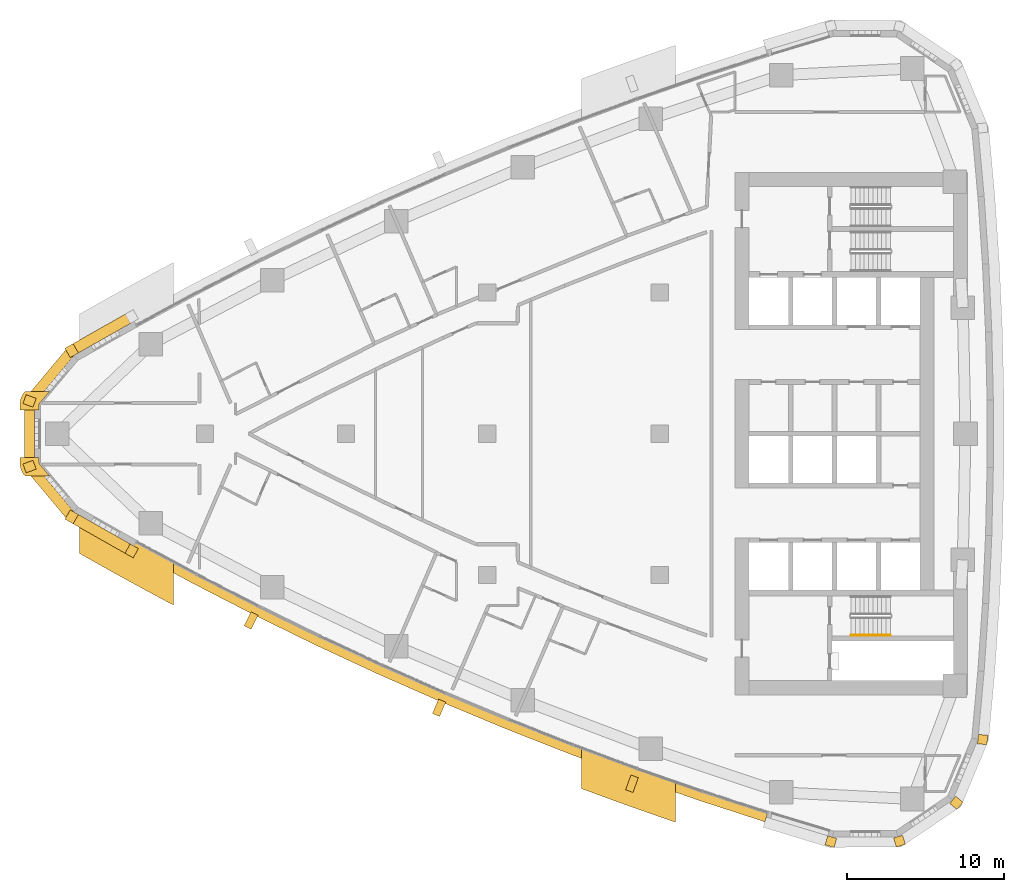
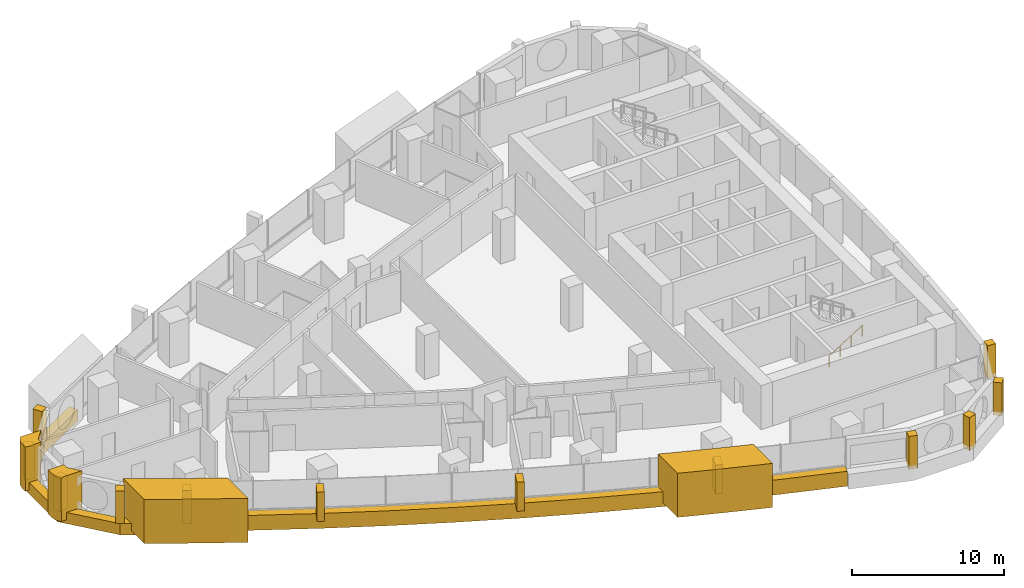
# One storey, part 13 of 16: 18 coverings, 1 railing.
"""IFC4 building model written with IfcOpenShell, lengths in metres."""

from ifc_helpers import new_model, si_unit, direction, frame, frame_2d, origin, origin_2d, place, context, subcontext, project, spatial, polyline, rectangle, circle, outline, extrude, material, layer, layer_set, type_object, element, save


model = new_model("IFC4")

# Units and contexts
model_context = context("Model", 3, precision=1e-05, world=origin(), true_north=direction((0.0, 1.0)))
body_context = subcontext(model_context, "Body", "Model", "MODEL_VIEW")
ifc_project = project(units=[si_unit("LENGTHUNIT", "METRE"), si_unit("AREAUNIT", "SQUARE_METRE"), si_unit("VOLUMEUNIT", "CUBIC_METRE"), si_unit("PLANEANGLEUNIT", "RADIAN"), si_unit("MASSUNIT", "GRAM", prefix="KILO")], contexts=[model_context])

# Site, building, storey
site_placement = place(None, origin())
site = spatial("IfcSite", under=ifc_project, at=site_placement, CompositionType="ELEMENT")
building_placement = place(site_placement, origin())
building = spatial("IfcBuilding", under=site, at=building_placement, Name="Ostrand Prow Hotel Tower", CompositionType="ELEMENT")
storey_placement = place(building_placement, frame((0.0, 0.0, 147.949951171875)))
storey = spatial("IfcBuildingStorey", under=building, at=storey_placement, Name="L36", CompositionType="ELEMENT", Elevation=147.949951171875)

# Coverings
ifc_material_1 = material(Name="Bronze anodised aluminium cladding", Category="aluminium")
ifc_layer_1 = layer(ifc_material_1, 0.60009765625)
ifc_layer_set_1 = layer_set([ifc_layer_1], Name="Bronze anodised aluminium cladding")
covering_type_1 = type_object("IfcCoveringType", Name="Bronze prow band 899x600", PredefinedType="CLADDING", material=ifc_layer_set_1)
covering_1_placement = place(storey_placement, frame((0.0, 0.0, -0.300048828125)))
element("IfcCovering", 1, at=covering_1_placement, inside=storey, type_object=covering_type_1, Name="Bronze prow band", PredefinedType="CLADDING", context=body_context, shape_type="SweptSolid", body=[
    extrude(outline(polyline([(11.16845703125, 7.766845703125), (7.335205078125, 5.594970703125), (4.5009765625, 2.208251953125), (4.5009765625, -2.208251953125), (7.335205078125, -5.594970703125), (11.16845703125, -7.766845703125), (11.497802734375, -7.171875), (7.676513671875, -5.006591796875), (5.14013671875, -1.97607421875), (5.14013671875, 1.97607421875), (7.676513671875, 5.006591796875), (11.497802734375, 7.171875), (11.16845703125, 7.766845703125)])), origin(), (0.0, 0.0, 1.0), 0.900146484375),
])
ifc_material_2 = material(Name="Bronze anodised aluminium cladding", Category="aluminium")
ifc_layer_2 = layer(ifc_material_2, 0.60009765625)
ifc_layer_set_2 = layer_set([ifc_layer_2], Name="Bronze anodised aluminium cladding")
covering_type_2 = type_object("IfcCoveringType", Name="Bronze spandrel band 1200x600", PredefinedType="CLADDING", material=ifc_layer_set_2)
covering_2_placement = place(storey_placement, frame((0.0, 0.0, -0.300048828125)))
element("IfcCovering", 2, at=covering_2_placement, inside=storey, type_object=covering_type_2, Name="Spandrel band S1", PredefinedType="CLADDING", context=body_context, shape_type="SweptSolid", body=[
    extrude(outline(polyline([(11.3466796875, -7.445068359375), (15.21630859375, -9.535888671875), (19.126953125, -11.548828125), (23.077392578125, -13.482666015625), (27.06591796875, -15.336669921875), (31.091064453125, -17.110107421875), (35.15087890625, -18.80224609375), (39.243896484375, -20.41259765625), (43.368408203125, -21.9404296875), (47.522705078125, -23.385009765625), (51.705322265625, -24.74560546875), (51.88525390625, -24.17333984375), (47.714111328125, -22.81640625), (43.571044921875, -21.375732421875), (39.457763671875, -19.85205078125), (35.376220703125, -18.24609375), (31.327392578125, -16.55859375), (27.3134765625, -14.7900390625), (23.335693359375, -12.941162109375), (19.396240234375, -11.0126953125), (15.49609375, -9.00537109375), (11.63720703125, -6.920166015625), (11.3466796875, -7.445068359375)])), origin(), (0.0, 0.0, 1.0), 1.2001953125),
])
ifc_material_3 = material(Name="Limestone cladding", Category="masonry")
ifc_layer_3 = layer(ifc_material_3, 5.0)
ifc_layer_set_3 = layer_set([ifc_layer_3], Name="Limestone cladding")
covering_type_3 = type_object("IfcCoveringType", Name="Portal jamb pilaster limestone", PredefinedType="CLADDING", material=ifc_layer_set_3)
covering_3_placement = place(storey_placement, origin())
element("IfcCovering", 3, at=covering_3_placement, inside=storey, type_object=covering_type_3, Name="Portal jamb SA L36", PredefinedType="CLADDING", context=body_context, shape_type="SweptSolid", body=[
    extrude(outline(polyline([(8.0, -4.861572265625), (8.0, -7.62939453125), (9.0, -8.1962890625), (10.0, -8.75634765625), (11.0, -9.3095703125), (12.0, -9.856201171875), (13.0, -10.39599609375), (14.0, -10.92919921875), (14.0, -8.208740234375), (13.0, -7.66796875), (12.0, -7.12060546875), (11.0, -6.566162109375), (10.0, -6.0048828125), (9.0, -5.436767578125), (8.0, -4.861572265625)])), origin(), (0.0, 0.0, 1.0), 3.550048828125),
])
covering_4_placement = place(storey_placement, origin())
element("IfcCovering", 4, at=covering_4_placement, inside=storey, type_object=covering_type_3, Name="Portal jamb SB L36", PredefinedType="CLADDING", context=body_context, shape_type="SweptSolid", body=[
    extrude(outline(polyline([(40.0, -20.058349609375), (40.0, -22.622802734375), (41.0, -22.994140625), (42.0, -23.360107421875), (43.0, -23.720458984375), (44.0, -24.075439453125), (45.0, -24.425048828125), (46.0, -24.769287109375), (46.0, -22.231689453125), (45.0, -21.883056640625), (44.0, -21.529296875), (43.0, -21.169921875), (42.0, -20.804931640625), (41.0, -20.434326171875), (40.0, -20.058349609375)])), origin(), (0.0, 0.0, 1.0), 3.550048828125),
])
ifc_material_4 = material(Name="Limestone cladding", Category="masonry")
ifc_layer_4 = layer(ifc_material_4, 0.5)
ifc_layer_set_4 = layer_set([ifc_layer_4], Name="Limestone cladding")
covering_type_4 = type_object("IfcCoveringType", Name="Precast stone fin 500x900", PredefinedType="CLADDING", material=ifc_layer_set_4)
covering_5_placement = place(storey_placement, frame((19.171875, -11.45947265625, 0.900146484375), z_axis=(0.0, 0.0, 1.0), x_axis=(-0.448677667264, -0.893693656069, 0.0)))
element("IfcCovering", 5, at=covering_5_placement, inside=storey, type_object=covering_type_4, Name="Stone fin S 3", PredefinedType="CLADDING", context=body_context, shape_type="SweptSolid", body=[
    extrude(rectangle(XDim=1.0, YDim=0.5, at=frame_2d((0.5, 0.0))), origin(), (0.0, 0.0, 1.0), 2.349853515625),
])
covering_6_placement = place(storey_placement, frame((31.13037109375, -17.018310546875, 0.900146484375), z_axis=(0.0, 0.0, 1.0), x_axis=(-0.394096106618, -0.919069235013, 0.0)))
element("IfcCovering", 6, at=covering_6_placement, inside=storey, type_object=covering_type_4, Name="Stone fin S 6", PredefinedType="CLADDING", context=body_context, shape_type="SweptSolid", body=[
    extrude(rectangle(XDim=0.999755859375, YDim=0.5, at=frame_2d((0.5, 0.0))), origin(), (0.0, 0.0, 1.0), 2.349853515625),
])
covering_7_placement = place(storey_placement, frame((43.402099609375, -21.84619140625, 0.900146484375), z_axis=(0.0, 0.0, 1.0), x_axis=(-0.3378203991, -0.941210591713, 0.0)))
element("IfcCovering", 7, at=covering_7_placement, inside=storey, type_object=covering_type_4, Name="Stone fin S 9", PredefinedType="CLADDING", context=body_context, shape_type="SweptSolid", body=[
    extrude(rectangle(XDim=1.000244140625, YDim=0.5, at=frame_2d((0.5, 0.0))), origin(), (0.0, 0.0, 1.0), 2.349853515625),
])
ifc_material_5 = material(Name="Limestone cladding", Category="masonry")
ifc_layer_5 = layer(ifc_material_5, 0.60009765625)
ifc_layer_set_5 = layer_set([ifc_layer_5], Name="Limestone cladding")
covering_type_5 = type_object("IfcCoveringType", Name="Precast stone prow rib 600x600", PredefinedType="CLADDING", material=ifc_layer_set_5)
covering_8_placement = place(storey_placement, frame((7.676513671875, 5.006591796875, 0.60009765625), z_axis=(0.0, 0.0, 1.0), x_axis=(-0.501771803437, 0.865000033107, 0.0)))
element("IfcCovering", 8, at=covering_8_placement, inside=storey, type_object=covering_type_5, Name="Stone prow rib 2", PredefinedType="CLADDING", context=body_context, shape_type="SweptSolid", body=[
    extrude(rectangle(XDim=0.68017578125, YDim=0.60009765625, at=frame_2d((0.340087890625, 0.0))), origin(), (0.0, 0.0, 1.0), 2.64990234375),
])
for number, where, z_axis, x_axis, name in (
    (9, (5.14013671875, 1.97607421875, 0.60009765625), (0.0, 0.0, 1.0), (-0.939908674991, 0.341425954896, 0.0), "Stone prow rib 3"),
    (10, (5.14013671875, -1.97607421875, 0.60009765625), (0.0, 0.0, 1.0), (-0.939908674991, -0.341425954896, 0.0), "Stone prow rib 4"),
):
    element("IfcCovering", number, at=place(storey_placement, frame(where, z_axis=z_axis, x_axis=x_axis)), inside=storey, type_object=covering_type_5, Name=name, PredefinedType="CLADDING", context=body_context, shape_type="SweptSolid", body=[
        extrude(rectangle(XDim=0.679931640625, YDim=0.60009765625, at=frame_2d((0.33984375, 0.0))), origin(), (0.0, 0.0, 1.0), 2.64990234375),
    ])
covering_9_placement = place(storey_placement, frame((7.676513671875, -5.006591796875, 0.60009765625), z_axis=(0.0, 0.0, 1.0), x_axis=(-0.501771803437, -0.865000033107, 0.0)))
element("IfcCovering", 11, at=covering_9_placement, inside=storey, type_object=covering_type_5, Name="Stone prow rib 5", PredefinedType="CLADDING", context=body_context, shape_type="SweptSolid", body=[
    extrude(rectangle(XDim=0.68017578125, YDim=0.60009765625, at=frame_2d((0.340087890625, 0.0))), origin(), (0.0, 0.0, 1.0), 2.64990234375),
])
covering_10_placement = place(storey_placement, frame((11.497802734375, -7.171875, 0.60009765625), z_axis=(0.0, 0.0, 1.0), x_axis=(-0.484301161624, -0.874901357211, 0.0)))
element("IfcCovering", 12, at=covering_10_placement, inside=storey, type_object=covering_type_5, Name="Stone prow rib 6", PredefinedType="CLADDING", context=body_context, shape_type="SweptSolid", body=[
    extrude(rectangle(XDim=0.679931640625, YDim=0.60009765625, at=frame_2d((0.33984375, 0.0))), origin(), (0.0, 0.0, 1.0), 2.64990234375),
])
covering_11_placement = place(storey_placement, frame((56.001953125, -25.722412109375, 0.60009765625), z_axis=(0.0, 0.0, 1.0), x_axis=(-0.280734221166, -0.959785547436, 0.0)))
element("IfcCovering", 13, at=covering_11_placement, inside=storey, type_object=covering_type_5, Name="Stone corner rib 2a", PredefinedType="CLADDING", context=body_context, shape_type="SweptSolid", body=[
    extrude(rectangle(XDim=0.60009765625, YDim=0.60009765625, at=frame_2d((0.300048828125, 0.0))), origin(), (0.0, 0.0, 1.0), 2.64990234375),
])
for number, where, z_axis, x_axis, name in (
    (14, (60.201171875, -25.689697265625, 0.60009765625), (0.0, 0.0, 1.0), (0.295515682615, -0.955337888565, 0.0), "Stone corner rib 3a"),
    (15, (63.68505859375, -23.34521484375, 0.60009765625), (0.0, 0.0, 1.0), (0.773830327772, -0.633392945825, 0.0), "Stone corner rib 4a"),
):
    element("IfcCovering", number, at=place(storey_placement, frame(where, z_axis=z_axis, x_axis=x_axis)), inside=storey, type_object=covering_type_5, Name=name, PredefinedType="CLADDING", context=body_context, shape_type="SweptSolid", body=[
        extrude(rectangle(XDim=0.599853515625, YDim=0.60009765625, at=frame_2d((0.2998046875, 0.0))), origin(), (0.0, 0.0, 1.0), 2.64990234375),
    ])
covering_12_placement = place(storey_placement, frame((65.296875, -19.467529296875, 0.60009765625), z_axis=(0.0, 0.0, 1.0), x_axis=(0.994854249607, -0.101316445052, 0.0)))
element("IfcCovering", 16, at=covering_12_placement, inside=storey, type_object=covering_type_5, Name="Stone corner rib 4b", PredefinedType="CLADDING", context=body_context, shape_type="SweptSolid", body=[
    extrude(rectangle(XDim=0.60009765625, YDim=0.60009765625, at=frame_2d((0.300048828125, 0.0))), origin(), (0.0, 0.0, 1.0), 2.64990234375),
])
ifc_material_6 = material(Name="Limestone cladding", Category="masonry")
ifc_layer_6 = layer(ifc_material_6, 3.0)
ifc_layer_set_6 = layer_set([ifc_layer_6], Name="Limestone cladding")
covering_type_6 = type_object("IfcCoveringType", Name="Prow nose pier limestone", PredefinedType="CLADDING", material=ifc_layer_set_6)
covering_13_placement = place(storey_placement, origin())
element("IfcCovering", 17, at=covering_13_placement, inside=storey, type_object=covering_type_6, Name="Prow spine fin N L36", PredefinedType="CLADDING", context=body_context, shape_type="SweptSolid", body=[
    extrude(outline(polyline([(4.210693359375, 1.877685546875), (4.210693359375, 1.5), (5.41064453125, 1.5), (5.41064453125, 1.877685546875), (6.098876953125, 2.699951171875), (4.533935546875, 2.699951171875), (4.490478515625, 2.64794921875), (4.41845703125, 2.552490234375), (4.356201171875, 2.45068359375), (4.304443359375, 2.343017578125), (4.263916015625, 2.230712890625), (4.234375, 2.114990234375), (4.216552734375, 1.9970703125), (4.210693359375, 1.877685546875)])), origin(), (0.0, 0.0, 1.0), 3.550048828125),
])
covering_14_placement = place(storey_placement, origin())
element("IfcCovering", 18, at=covering_14_placement, inside=storey, type_object=covering_type_6, Name="Prow spine fin S L36", PredefinedType="CLADDING", context=body_context, shape_type="SweptSolid", body=[
    extrude(outline(polyline([(4.490478515625, -2.64794921875), (4.533935546875, -2.699951171875), (6.098876953125, -2.699951171875), (5.41064453125, -1.877685546875), (5.41064453125, -1.5), (4.210693359375, -1.5), (4.210693359375, -1.877685546875), (4.216552734375, -1.9970703125), (4.234375, -2.114990234375), (4.263916015625, -2.230712890625), (4.304443359375, -2.343017578125), (4.356201171875, -2.45068359375), (4.41845703125, -2.552490234375), (4.490478515625, -2.64794921875)])), origin(), (0.0, 0.0, 1.0), 3.550048828125),
])

# Railing
ifc_material_7 = material(Name="Stainless steel", Category="steel")
railing_type = type_object("IfcRailingType", Name="Stair handrail 900", PredefinedType="HANDRAIL", material=ifc_material_7)
railing_placement = place(storey_placement, frame((57.199951171875, -12.85009765625, 0.177490234375)))
element("IfcRailing", 19, at=railing_placement, inside=storey, type_object=railing_type, Name="L36 ST2C stair handrail 1", PredefinedType="HANDRAIL", context=body_context, shape_type="SweptSolid", body=[
    extrude(circle(Radius=0.02392578125, at=origin_2d()), frame((0.0, 0.0, 0.8759765625), z_axis=(0.84456994832, 0.0, 0.535445237532), x_axis=(0.0, 1.0, 0.0)), (0.0, 0.0, 1.0), 2.98388671875),
    extrude(circle(Radius=0.02099609375, at=origin_2d()), origin(), (0.0, 0.0, 1.0), 0.851806640625),
    extrude(circle(Radius=0.02099609375, at=origin_2d()), frame((0.840087890625, 0.0, 0.532470703125)), (0.0, 0.0, 1.0), 0.851806640625),
    extrude(circle(Radius=0.02099609375, at=origin_2d()), frame((1.679931640625, 0.0, 1.065185546875)), (0.0, 0.0, 1.0), 0.851806640625),
    extrude(circle(Radius=0.02099609375, at=origin_2d()), frame((2.52001953125, 0.0, 1.59765625)), (0.0, 0.0, 1.0), 0.851806640625),
])

save(model, "model.ifc")
